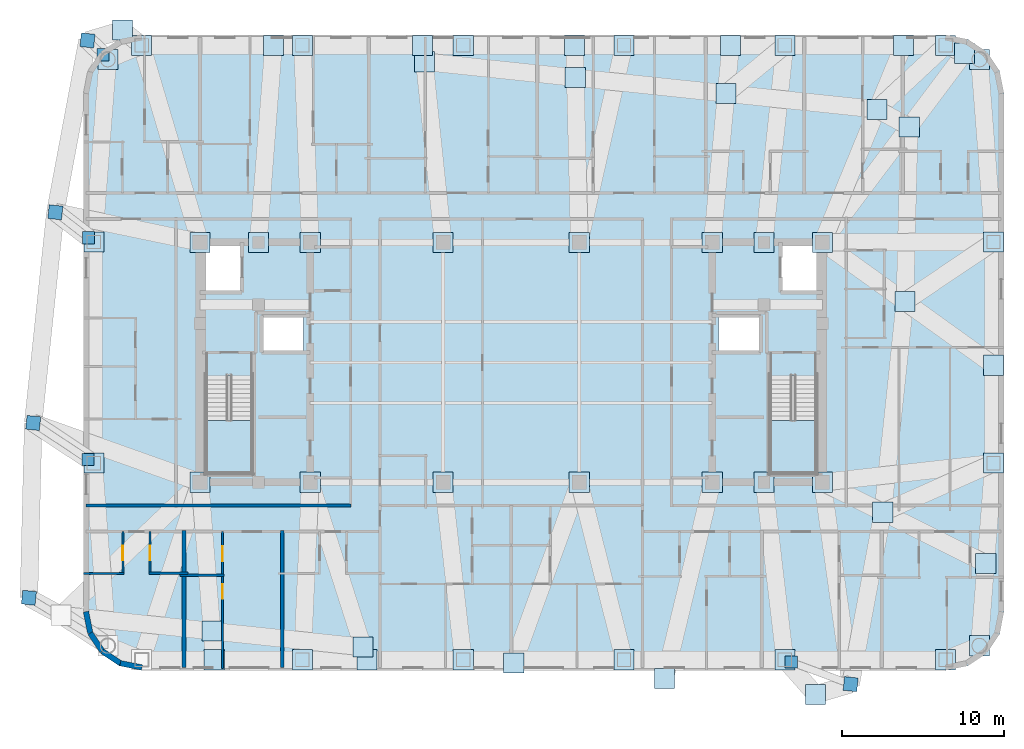
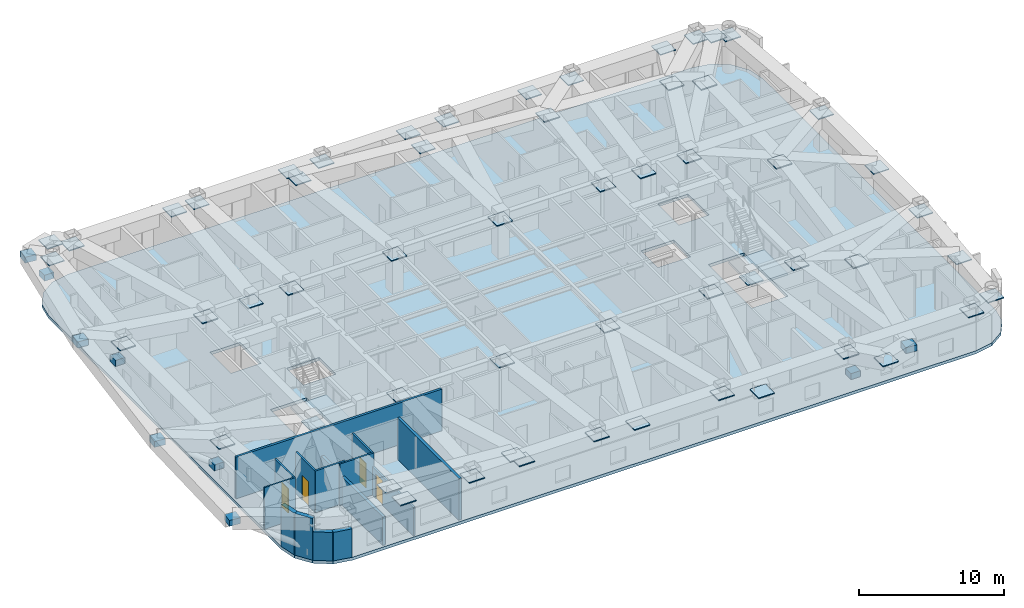
# One storey, part 3 of 12: 65 plates, 14 walls, 4 doors, 3 slabs, 4 openings, 2 elements without a shape of their own.
"""IFC4 building model written with IfcOpenShell, lengths in metres."""

from ifc_helpers import new_model, si_unit, direction, frame, frame_2d, origin, origin_2d, place, context, subcontext, project, spatial, polyline, rectangle, outline, extrude, material, layer, layer_set, type_object, element, fill, aggregate, save


model = new_model("IFC4")

# Units and contexts
model_context = context("Model", 3, precision=1e-05, world=origin(), true_north=direction((0.0, 1.0)))
body_context = subcontext(model_context, "Body", "Model", "MODEL_VIEW")
ifc_project = project(units=[si_unit("LENGTHUNIT", "METRE"), si_unit("AREAUNIT", "SQUARE_METRE"), si_unit("VOLUMEUNIT", "CUBIC_METRE"), si_unit("PLANEANGLEUNIT", "RADIAN"), si_unit("MASSUNIT", "GRAM", prefix="KILO")], contexts=[model_context])

# Site, building, storey
site_placement = place(None, origin())
site = spatial("IfcSite", under=ifc_project, at=site_placement, CompositionType="ELEMENT")
building_placement = place(site_placement, origin())
building = spatial("IfcBuilding", under=site, at=building_placement, Name="Voryun Gate Residences", CompositionType="ELEMENT")
storey_placement = place(building_placement, frame((0.0, 0.0, 250.89990234375)))
storey = spatial("IfcBuildingStorey", under=building, at=storey_placement, Name="L62", CompositionType="ELEMENT", Elevation=250.89990234375)

# Plates
ifc_material_1 = material(Name="Steel SM355", Category="steel")
ifc_layer_1 = layer(ifc_material_1, 0.02490234375, Name="PLT_END_CAP_25")
ifc_layer_set_1 = layer_set([ifc_layer_1], Name="Steel SM355")
plate_type_1 = type_object("IfcPlateType", Name="PLT_END_CAP_25", PredefinedType="USERDEFINED", material=ifc_layer_set_1)
for number, where, z_axis, x_axis, name in (
    (1, (-12.8798828125, -18.35009765625, 2.91015625), (0.0, 0.0, 1.0), (1.0, 0.0, 0.0), "L62 Hollow Member End-Cap Plate EC-680"),
    (2, (-2.9599609375, -18.35009765625, 2.91015625), (0.0, 0.0, 1.0), (1.0, 0.0, 0.0), "L62 Hollow Member End-Cap Plate EC-681"),
    (3, (6.9599609375, -18.35009765625, 2.91015625), (0.0, 0.0, 1.0), (1.0, 0.0, 0.0), "L62 Hollow Member End-Cap Plate EC-682"),
    (4, (16.8798828125, -18.35009765625, 2.91015625), (0.0, 0.0, 1.0), (1.0, 0.0, 0.0), "L62 Hollow Member End-Cap Plate EC-683"),
    (5, (26.800048828125, -18.35009765625, 2.91015625), (0.0, 0.0, 1.0), (1.0, 0.0, 0.0), "L62 Hollow Member End-Cap Plate EC-684"),
    (6, (28.885986328125, -17.486083984375, 2.91015625), (0.0, 0.0, 1.0), (1.0, 0.0, 0.0), "L62 Hollow Member End-Cap Plate EC-685"),
    (7, (29.75, -6.221923828125, 2.91015625), (0.0, 0.0, 1.0), (1.0, 0.0, 0.0), "L62 Hollow Member End-Cap Plate EC-686"),
    (8, (29.75, 7.422119140625, 2.91015625), (0.0, 0.0, 1.0), (1.0, 0.0, 0.0), "L62 Hollow Member End-Cap Plate EC-687"),
    (9, (28.885986328125, 18.68603515625, 2.91015625), (0.0, 0.0, 1.0), (1.0, 0.0, 0.0), "L62 Hollow Member End-Cap Plate EC-688"),
    (10, (26.800048828125, 19.550048828125, 2.91015625), (0.0, 0.0, 1.0), (1.0, 0.0, 0.0), "L62 Hollow Member End-Cap Plate EC-689"),
    (11, (16.8798828125, 19.550048828125, 2.91015625), (0.0, 0.0, 1.0), (1.0, 0.0, 0.0), "L62 Hollow Member End-Cap Plate EC-690"),
    (12, (6.9599609375, 19.550048828125, 2.91015625), (0.0, 0.0, 1.0), (1.0, 0.0, 0.0), "L62 Hollow Member End-Cap Plate EC-691"),
    (13, (-2.9599609375, 19.550048828125, 2.91015625), (0.0, 0.0, 1.0), (1.0, 0.0, 0.0), "L62 Hollow Member End-Cap Plate EC-692"),
    (14, (-12.8798828125, 19.550048828125, 2.91015625), (0.0, 0.0, 1.0), (1.0, 0.0, 0.0), "L62 Hollow Member End-Cap Plate EC-693"),
    (15, (-22.800048828125, 19.550048828125, 2.91015625), (0.0, 0.0, 1.0), (1.0, 0.0, 0.0), "L62 Hollow Member End-Cap Plate EC-694"),
    (16, (-24.885986328125, 18.68603515625, 2.91015625), (0.0, 0.0, 1.0), (1.0, 0.0, 0.0), "L62 Hollow Member End-Cap Plate EC-695"),
    (17, (-25.75, 7.422119140625, 2.91015625), (0.0, 0.0, 1.0), (1.0, 0.0, 0.0), "L62 Hollow Member End-Cap Plate EC-696"),
    (18, (-25.75, -6.221923828125, 2.91015625), (0.0, 0.0, 1.0), (1.0, 0.0, 0.0), "L62 Hollow Member End-Cap Plate EC-697"),
    (19, (-19.199951171875, -7.39990234375, 2.91015625), (0.0, 0.0, 1.0), (1.0, 0.0, 0.0), "L62 Hollow Member End-Cap Plate EC-699"),
    (20, (-18.31787109375, -18.35009765625, 2.91015625), (0.0, 0.0, 1.0), (1.0, 0.0, 0.0), "L62 Hollow Member End-Cap Plate EC-701"),
    (21, (-12.39990234375, -7.39990234375, 2.91015625), (0.0, 0.0, 1.0), (1.0, 0.0, 0.0), "L62 Hollow Member End-Cap Plate EC-702"),
    (22, (-8.8994140625, -18.35009765625, 2.91015625), (0.0, 0.0, 1.0), (1.0, 0.0, 0.0), "L62 Hollow Member End-Cap Plate EC-703"),
    (23, (4.199951171875, -7.39990234375, 2.91015625), (0.0, 0.0, 1.0), (1.0, 0.0, 0.0), "L62 Hollow Member End-Cap Plate EC-704"),
    (24, (0.1572265625, -18.539794921875, 2.91015625), (0.0, 0.0, 1.0), (1.0, 0.0, 0.0), "L62 Hollow Member End-Cap Plate EC-705"),
    (25, (12.39990234375, -7.39990234375, 2.91015625), (0.0, 0.0, 1.0), (1.0, 0.0, 0.0), "L62 Hollow Member End-Cap Plate EC-706"),
    (26, (9.4658203125, -19.51806640625, 2.91015625), (0.0, 0.0, 1.0), (1.0, 0.0, 0.0), "L62 Hollow Member End-Cap Plate EC-707"),
    (27, (18.774658203125, -20.49658203125, 2.91015625), (0.0, 0.0, 1.0), (1.0, 0.0, 0.0), "L62 Hollow Member End-Cap Plate EC-708"),
    (28, (19.199951171875, -7.39990234375, 2.91015625), (0.0, 0.0, 1.0), (1.0, 0.0, 0.0), "L62 Hollow Member End-Cap Plate EC-709"),
    (29, (29.275146484375, -12.413818359375, 2.91015625), (0.0, 0.0, 1.0), (1.0, 0.0, 0.0), "L62 Hollow Member End-Cap Plate EC-710"),
    (30, (22.922607421875, -9.25244140625, 2.91015625), (0.0, 0.0, 1.0), (1.0, 0.0, 0.0), "L62 Hollow Member End-Cap Plate EC-711"),
    (31, (19.199951171875, 7.39990234375, 2.91015625), (0.0, 0.0, 1.0), (1.0, 0.0, 0.0), "L62 Hollow Member End-Cap Plate EC-712"),
    (32, (29.75, -0.179931640625, 2.91015625), (0.0, 0.0, 1.0), (1.0, 0.0, 0.0), "L62 Hollow Member End-Cap Plate EC-713"),
    (33, (24.28857421875, 3.743896484375, 2.91015625), (0.0, 0.0, 1.0), (1.0, 0.0, 0.0), "L62 Hollow Member End-Cap Plate EC-714"),
    (34, (27.963623046875, 19.068115234375, 2.91015625), (0.0, 0.0, 1.0), (1.0, 0.0, 0.0), "L62 Hollow Member End-Cap Plate EC-715"),
    (35, (24.189208984375, 19.550048828125, 2.91015625), (0.0, 0.0, 1.0), (1.0, 0.0, 0.0), "L62 Hollow Member End-Cap Plate EC-716"),
    (36, (22.569091796875, 15.6044921875, 2.91015625), (0.0, 0.0, 1.0), (1.0, 0.0, 0.0), "L62 Hollow Member End-Cap Plate EC-717"),
    (37, (12.39990234375, 7.39990234375, 2.91015625), (0.0, 0.0, 1.0), (1.0, 0.0, 0.0), "L62 Hollow Member End-Cap Plate EC-718"),
    (38, (13.5380859375, 19.550048828125, 2.91015625), (0.0, 0.0, 1.0), (1.0, 0.0, 0.0), "L62 Hollow Member End-Cap Plate EC-719"),
    (39, (13.26025390625, 16.5830078125, 2.91015625), (0.0, 0.0, 1.0), (1.0, 0.0, 0.0), "L62 Hollow Member End-Cap Plate EC-720"),
    (40, (4.199951171875, 7.39990234375, 2.91015625), (0.0, 0.0, 1.0), (1.0, 0.0, 0.0), "L62 Hollow Member End-Cap Plate EC-721"),
    (41, (3.90283203125, 19.550048828125, 2.91015625), (0.0, 0.0, 1.0), (1.0, 0.0, 0.0), "L62 Hollow Member End-Cap Plate EC-722"),
    (42, (-4.199951171875, 7.39990234375, 2.91015625), (0.0, 0.0, 1.0), (1.0, 0.0, 0.0), "L62 Hollow Member End-Cap Plate EC-723"),
    (43, (-5.462158203125, 19.550048828125, 2.91015625), (0.0, 0.0, 1.0), (1.0, 0.0, 0.0), "L62 Hollow Member End-Cap Plate EC-724"),
    (44, (-15.60009765625, 7.39990234375, 2.91015625), (0.0, 0.0, 1.0), (1.0, 0.0, 0.0), "L62 Hollow Member End-Cap Plate EC-725"),
    (45, (-14.663330078125, 19.550048828125, 2.91015625), (0.0, 0.0, 1.0), (1.0, 0.0, 0.0), "L62 Hollow Member End-Cap Plate EC-726"),
    (46, (-23.974609375, 20.49658203125, 2.91015625), (0.0, 0.0, 1.0), (1.0, 0.0, 0.0), "L62 Hollow Member End-Cap Plate EC-727"),
    (47, (-19.199951171875, 7.39990234375, 2.91015625), (0.0, 0.0, 1.0), (1.0, 0.0, 0.0), "L62 Hollow Member End-Cap Plate EC-728"),
    (48, (-18.460205078125, -16.5830078125, 2.91015625), (0.0, 0.0, 1.0), (1.0, 0.0, 0.0), "L62 Hollow Member End-Cap Plate EC-729"),
    (49, (-9.151611328125, -17.561279296875, 2.91015625), (0.0, 0.0, 1.0), (1.0, 0.0, 0.0), "L62 Hollow Member End-Cap Plate EC-730"),
    (50, (24.55322265625, 14.52734375, 2.91015625), (0.0, 0.0, 1.0), (1.0, 0.0, 0.0), "L62 Hollow Member End-Cap Plate EC-731"),
    (51, (3.95166015625, 17.561279296875, 2.91015625), (0.0, 0.0, 1.0), (1.0, 0.0, 0.0), "L62 Hollow Member End-Cap Plate EC-732"),
    (52, (-5.357177734375, 18.539794921875, 2.91015625), (0.0, 0.0, 1.0), (1.0, 0.0, 0.0), "L62 Hollow Member End-Cap Plate EC-733"),
    (53, (-4.199951171875, -7.39990234375, 2.91015625), (0.0, 0.0, 1.0), (1.0, 0.0, 0.0), "L62 Hollow Member End-Cap Plate EC-734"),
    (54, (15.60009765625, -7.39990234375, 2.91015625), (0.0, 0.0, 1.0), (1.0, 0.0, 0.0), "L62 Hollow Member End-Cap Plate EC-735"),
    (55, (15.60009765625, 7.39990234375, 2.91015625), (0.0, 0.0, 1.0), (1.0, 0.0, 0.0), "L62 Hollow Member End-Cap Plate EC-736"),
    (56, (-12.39990234375, 7.39990234375, 2.91015625), (0.0, 0.0, 1.0), (1.0, 0.0, 0.0), "L62 Hollow Member End-Cap Plate EC-737"),
):
    element("IfcPlate", number, at=place(storey_placement, frame(where, z_axis=z_axis, x_axis=x_axis)), inside=storey, type_object=plate_type_1, Name=name, ObjectType="BASE_PLATE", PredefinedType="USERDEFINED", context=body_context, shape_type="SweptSolid", body=[
        extrude(rectangle(XDim=1.239990234375, YDim=1.239990234375, at=origin_2d()), origin(), (0.0, 0.0, 1.0), 0.080078125),
    ])
ifc_material_2 = material(Name="Steel SM420", Category="steel")
ifc_layer_2 = layer(ifc_material_2, 0.031982421875, Name="PLT_SPLICE_PLATE_32")
ifc_layer_set_2 = layer_set([ifc_layer_2], Name="Steel SM420")
plate_type_2 = type_object("IfcPlateType", Name="PLT_SPLICE_PLATE_32", PredefinedType="USERDEFINED", material=ifc_layer_set_2)
plate_1_placement = place(storey_placement, frame((17.273681640625, -18.49609375, 0.94091796875), z_axis=(0.0, 0.0, 1.0), x_axis=(1.0, 0.0, 0.0)))
element("IfcPlate", 57, at=plate_1_placement, inside=storey, type_object=plate_type_2, Name="L62 Cantilever Strut Base Gusset BS-CSE", ObjectType="SPLICE_PLATE", PredefinedType="USERDEFINED", context=body_context, shape_type="SweptSolid", body=[
    extrude(rectangle(XDim=0.75, YDim=0.75, at=origin_2d()), origin(), (0.0, 0.0, 1.0), 0.5),
])
plate_2_placement = place(storey_placement, frame((20.939453125, -19.855224609375, 2.7001953125), z_axis=(0.0, 0.0, 1.0), x_axis=(0.994521895368, -0.104528463268, 0.0)))
element("IfcPlate", 58, at=plate_2_placement, inside=storey, type_object=plate_type_2, Name="L62 Transfer Kink Splice Plate KN-CSE", ObjectType="SPLICE_PLATE", PredefinedType="USERDEFINED", context=body_context, shape_type="SweptSolid", body=[
    extrude(rectangle(XDim=0.85009765625, YDim=0.85009765625, at=origin_2d()), origin(), (0.0, 0.0, 1.0), 0.5),
])
plate_3_placement = place(storey_placement, frame((-25.193115234375, 18.972412109375, 1.35009765625), z_axis=(0.0, 0.0, 1.0), x_axis=(1.0, 0.0, 0.0)))
element("IfcPlate", 59, at=plate_3_placement, inside=storey, type_object=plate_type_2, Name="L62 Cantilever Strut Base Gusset BS-CNW", ObjectType="SPLICE_PLATE", PredefinedType="USERDEFINED", context=body_context, shape_type="SweptSolid", body=[
    extrude(rectangle(XDim=0.75, YDim=0.75, at=origin_2d()), origin(), (0.0, 0.0, 1.0), 0.5),
])
plate_4_placement = place(storey_placement, frame((-26.139404296875, 19.855224609375, 2.7001953125), z_axis=(0.0, 0.0, 1.0), x_axis=(0.994521895368, -0.104528463268, 0.0)))
element("IfcPlate", 60, at=plate_4_placement, inside=storey, type_object=plate_type_2, Name="L62 Transfer Kink Splice Plate KN-CNW", ObjectType="SPLICE_PLATE", PredefinedType="USERDEFINED", context=body_context, shape_type="SweptSolid", body=[
    extrude(rectangle(XDim=0.85009765625, YDim=0.85009765625, at=origin_2d()), origin(), (0.0, 0.0, 1.0), 0.5),
])
plate_5_placement = place(storey_placement, frame((-26.08251953125, 7.6787109375, 1.35009765625), z_axis=(0.0, 0.0, 1.0), x_axis=(1.0, 0.0, 0.0)))
element("IfcPlate", 61, at=plate_5_placement, inside=storey, type_object=plate_type_2, Name="L62 Cantilever Strut Base Gusset BS-W1", ObjectType="SPLICE_PLATE", PredefinedType="USERDEFINED", context=body_context, shape_type="SweptSolid", body=[
    extrude(rectangle(XDim=0.75, YDim=0.75, at=origin_2d()), origin(), (0.0, 0.0, 1.0), 0.5),
])
plate_6_placement = place(storey_placement, frame((-28.12255859375, 9.25244140625, 2.7001953125), z_axis=(0.0, 0.0, 1.0), x_axis=(0.994521895368, -0.104528463268, 0.0)))
element("IfcPlate", 62, at=plate_6_placement, inside=storey, type_object=plate_type_2, Name="L62 Transfer Kink Splice Plate KN-W1", ObjectType="SPLICE_PLATE", PredefinedType="USERDEFINED", context=body_context, shape_type="SweptSolid", body=[
    extrude(rectangle(XDim=0.85009765625, YDim=0.85009765625, at=origin_2d()), origin(), (0.0, 0.0, 1.0), 0.5),
])
plate_7_placement = place(storey_placement, frame((-26.10009765625, -5.989990234375, 0.87060546875), z_axis=(0.0, 0.0, 1.0), x_axis=(1.0, 0.0, 0.0)))
element("IfcPlate", 63, at=plate_7_placement, inside=storey, type_object=plate_type_2, Name="L62 Cantilever Strut Base Gusset BS-W2", ObjectType="SPLICE_PLATE", PredefinedType="USERDEFINED", context=body_context, shape_type="SweptSolid", body=[
    extrude(rectangle(XDim=0.75, YDim=0.75, at=origin_2d()), origin(), (0.0, 0.0, 1.0), 0.5),
])
for number, where, z_axis, x_axis, name in (
    (64, (-29.488525390625, -3.743896484375, 2.7001953125), (0.0, 0.0, 1.0), (0.994521895368, -0.104528463268, 0.0), "L62 Transfer Kink Splice Plate KN-W2"),
    (65, (-29.753173828125, -14.52734375, 2.7001953125), (0.0, 0.0, 1.0), (0.994521895368, -0.104528463268, 0.0), "L62 Transfer Kink Splice Plate KN-CSW"),
):
    element("IfcPlate", number, at=place(storey_placement, frame(where, z_axis=z_axis, x_axis=x_axis)), inside=storey, type_object=plate_type_2, Name=name, ObjectType="SPLICE_PLATE", PredefinedType="USERDEFINED", context=body_context, shape_type="SweptSolid", body=[
        extrude(rectangle(XDim=0.85009765625, YDim=0.85009765625, at=origin_2d()), origin(), (0.0, 0.0, 1.0), 0.5),
    ])

# Slab
ifc_material_3 = material(Name="Concrete C40/50", Category="concrete")
ifc_layer_3 = layer(ifc_material_3, 0.25, Name="SLB_RES_250")
ifc_layer_set_3 = layer_set([ifc_layer_3], Name="Concrete C40/50")
slab_type_1 = type_object("IfcSlabType", Name="SLB_RES_250", PredefinedType="FLOOR", material=ifc_layer_set_3)
slab_1_placement = place(storey_placement, frame((0.0, 0.0, -0.25)))
element("IfcSlab", 66, at=slab_1_placement, inside=storey, type_object=slab_type_1, Name="L62 Structural Floor Slab", PredefinedType="FLOOR", context=body_context, shape_type="SweptSolid", body=[
    extrude(outline(polyline([(-22.800048828125, -19.0), (-24.177734375, -18.72607421875), (-25.345458984375, -17.945556640625), (-26.1259765625, -16.777587890625), (-26.39990234375, -15.39990234375), (-26.39990234375, 16.60009765625), (-26.1259765625, 17.9775390625), (-25.345458984375, 19.1455078125), (-24.177734375, 19.926025390625), (-22.800048828125, 20.199951171875), (26.800048828125, 20.199951171875), (28.177734375, 19.926025390625), (29.345458984375, 19.1455078125), (30.1259765625, 17.9775390625), (30.39990234375, 16.60009765625), (30.39990234375, -15.39990234375), (30.1259765625, -16.777587890625), (29.345458984375, -17.945556640625), (28.177734375, -18.72607421875), (26.800048828125, -19.0), (-22.800048828125, -19.0)]), holes=[polyline([(-15.97509765625, -0.840087890625), (-18.824951171875, -0.840087890625), (-18.824951171875, -6.85009765625), (-15.97509765625, -6.85009765625), (-15.97509765625, -0.840087890625)]), polyline([(18.824951171875, -6.85009765625), (18.824951171875, -0.840087890625), (15.97509765625, -0.840087890625), (15.97509765625, -6.85009765625), (18.824951171875, -6.85009765625)]), polyline([(-12.800048828125, 2.89990234375), (-15.39990234375, 2.89990234375), (-15.39990234375, 0.60009765625), (-12.800048828125, 0.60009765625), (-12.800048828125, 2.89990234375)]), polyline([(12.800048828125, 2.89990234375), (12.800048828125, 0.60009765625), (15.39990234375, 0.60009765625), (15.39990234375, 2.89990234375), (12.800048828125, 2.89990234375)]), polyline([(-16.60009765625, 7.199951171875), (-19.0, 7.199951171875), (-19.0, 4.300048828125), (-16.60009765625, 4.300048828125), (-16.60009765625, 7.199951171875)]), polyline([(19.0, 7.199951171875), (16.60009765625, 7.199951171875), (16.60009765625, 4.300048828125), (19.0, 4.300048828125), (19.0, 7.199951171875)])]), origin(), (0.0, 0.0, 1.0), 0.25),
])

# Stair, slab
ifc_material_4 = material(Name="Concrete C40/50", Category="concrete")
stair_type = type_object("IfcStairType", Name="STR_CORE_DOGLEG_1350", PredefinedType="HALF_TURN_STAIR", material=ifc_material_4)
stair_1_placement = place(storey_placement, origin())
stair_1 = element("IfcStair", 67, at=stair_1_placement, inside=storey, type_object=stair_type, Name="L62 Special Escape Stair ST-W1", PredefinedType="HALF_TURN_STAIR")
ifc_material_5 = material(Name="Concrete C40/50", Category="concrete")
ifc_layer_4 = layer(ifc_material_5, 0.199951171875, Name="SLB_STAIR_LANDING_200")
ifc_layer_set_4 = layer_set([ifc_layer_4], Name="Concrete C40/50")
slab_type_2 = type_object("IfcSlabType", Name="SLB_STAIR_LANDING_200", PredefinedType="LANDING", material=ifc_layer_set_4)
slab_2_placement = place(storey_placement, frame((0.0, 0.0, 1.75)))
slab_2 = element("IfcSlab", 68, at=slab_2_placement, type_object=slab_type_2, Name="ST-W1 landing 1", PredefinedType="LANDING", context=body_context, shape_type="SweptSolid", body=[
    extrude(outline(polyline([(-18.824951171875, -3.60009765625), (-18.824951171875, -6.85009765625), (-15.97509765625, -6.85009765625), (-15.97509765625, -3.60009765625), (-18.824951171875, -3.60009765625)])), origin(), (0.0, 0.0, 1.0), 0.2001953125),
])
aggregate(stair_1, [slab_2])

stair_2_placement = place(storey_placement, origin())
stair_2 = element("IfcStair", 69, at=stair_2_placement, inside=storey, type_object=stair_type, Name="L62 Special Escape Stair ST-E1", PredefinedType="HALF_TURN_STAIR")
slab_3_placement = place(storey_placement, frame((0.0, 0.0, 1.75)))
slab_3 = element("IfcSlab", 70, at=slab_3_placement, type_object=slab_type_2, Name="ST-E1 landing 1", PredefinedType="LANDING", context=body_context, shape_type="SweptSolid", body=[
    extrude(outline(polyline([(15.97509765625, -3.60009765625), (15.97509765625, -6.85009765625), (18.824951171875, -6.85009765625), (18.824951171875, -3.60009765625), (15.97509765625, -3.60009765625)])), origin(), (0.0, 0.0, 1.0), 0.2001953125),
])
aggregate(stair_2, [slab_3])

# Walls
ifc_material_6 = material(Name="Gypsum acoustic fireboard")
ifc_layer_5 = layer(ifc_material_6, 0.179931640625, Name="W_CORR_RATED_180")
ifc_layer_set_5 = layer_set([ifc_layer_5], Name="Gypsum acoustic fireboard")
wall_type_1 = type_object("IfcWallType", Name="W_CORR_RATED_180", PredefinedType="PARTITIONING", material=ifc_layer_set_5)
wall_1_placement = place(storey_placement, frame((-26.22998046875, -8.840087890625, 0.0), z_axis=(0.0, 0.0, 1.0), x_axis=(1.0, 0.0, 0.0)))
element("IfcWall", 71, at=wall_1_placement, inside=storey, type_object=wall_type_1, Name="Partition wall WP-L62-CWING-WS", PredefinedType="PARTITIONING", context=body_context, shape_type="SweptSolid", body=[
    extrude(rectangle(XDim=16.35009765625, YDim=0.179931640625, at=frame_2d((8.175048828125, 0.0))), origin(), (0.0, 0.0, 1.0), 3.5),
])
ifc_material_7 = material(Name="Charcoal terracotta masonry", Category="masonry")
ifc_layer_6 = layer(ifc_material_7, 0.340087890625, Name="W_EXT_TERRACOTTA_340")
ifc_layer_set_6 = layer_set([ifc_layer_6], Name="Charcoal terracotta masonry")
wall_type_2 = type_object("IfcWallType", Name="W_EXT_TERRACOTTA_340", PredefinedType="ELEMENTEDWALL", material=ifc_layer_set_6)
wall_2_placement = place(storey_placement, frame((-22.783203125, -18.830078125, 0.0), z_axis=(0.0, 0.0, 1.0), x_axis=(-0.980788153188, 0.195075878998, 0.0)))
element("IfcWall", 72, at=wall_2_placement, inside=storey, type_object=wall_type_2, Name="Exterior wall WEXT-L62-02", PredefinedType="ELEMENTEDWALL", context=body_context, shape_type="SweptSolid", body=[
    extrude(rectangle(XDim=1.354248046875, YDim=0.340087890625, at=frame_2d((0.67724609375, 0.0))), origin(), (0.0, 0.0, 1.0), 2.39013671875),
])
wall_3_placement = place(storey_placement, frame((-24.111328125, -18.56591796875, 0.0), z_axis=(0.0, 0.0, 1.0), x_axis=(-0.831403586725, 0.555669034571, 0.0)))
element("IfcWall", 73, at=wall_3_placement, inside=storey, type_object=wall_type_2, Name="Exterior wall WEXT-L62-03", PredefinedType="ELEMENTEDWALL", context=body_context, shape_type="SweptSolid", body=[
    extrude(rectangle(XDim=1.3369140625, YDim=0.340087890625, at=frame_2d((0.66845703125, 0.0))), origin(), (0.0, 0.0, 1.0), 2.39013671875),
])
wall_4_placement = place(storey_placement, frame((-25.222900390625, -17.822998046875, 0.0), z_axis=(0.0, 0.0, 1.0), x_axis=(-0.555584683399, 0.831459956686, 0.0)))
element("IfcWall", 74, at=wall_4_placement, inside=storey, type_object=wall_type_2, Name="Exterior wall WEXT-L62-04", PredefinedType="ELEMENTEDWALL", context=body_context, shape_type="SweptSolid", body=[
    extrude(rectangle(XDim=1.337158203125, YDim=0.340087890625, at=frame_2d((0.66845703125, 0.0))), origin(), (0.0, 0.0, 1.0), 3.5),
])
wall_5_placement = place(storey_placement, frame((-25.9658203125, -16.711181640625, 0.0), z_axis=(0.0, 0.0, 1.0), x_axis=(-0.195110379894, 0.98078129043, 0.0)))
element("IfcWall", 75, at=wall_5_placement, inside=storey, type_object=wall_type_2, Name="Exterior wall WEXT-L62-05", PredefinedType="ELEMENTEDWALL", context=body_context, shape_type="SweptSolid", body=[
    extrude(rectangle(XDim=1.35400390625, YDim=0.340087890625, at=frame_2d((0.677001953125, 0.0))), origin(), (0.0, 0.0, 1.0), 3.5),
])
ifc_material_8 = material(Name="Concrete C40/50", Category="concrete")
ifc_layer_7 = layer(ifc_material_8, 0.219970703125, Name="W_PARTY_ACOUSTIC_220")
ifc_layer_set_7 = layer_set([ifc_layer_7], Name="Concrete C40/50")
wall_type_3 = type_object("IfcWallType", Name="W_PARTY_ACOUSTIC_220", PredefinedType="PARTITIONING", material=ifc_layer_set_7)
wall_6_placement = place(storey_placement, frame((-20.18505859375, -18.830078125, 0.0), z_axis=(0.0, 0.0, 1.0), x_axis=(0.0, 1.0, 0.0)))
element("IfcWall", 76, at=wall_6_placement, inside=storey, type_object=wall_type_3, Name="Partition wall WP-L62-SPTY-1", PredefinedType="PARTITIONING", context=body_context, shape_type="SweptSolid", body=[
    extrude(rectangle(XDim=8.4599609375, YDim=0.219970703125, at=frame_2d((4.22998046875, 0.0))), origin(), (0.0, 0.0, 1.0), 2.39013671875),
])
wall_7_placement = place(storey_placement, frame((-14.132080078125, -18.830078125, 0.0), z_axis=(0.0, 0.0, 1.0), x_axis=(0.0, 1.0, 0.0)))
element("IfcWall", 77, at=wall_7_placement, inside=storey, type_object=wall_type_3, Name="Partition wall WP-L62-SPTY-2", PredefinedType="PARTITIONING", context=body_context, shape_type="SweptSolid", body=[
    extrude(rectangle(XDim=8.4599609375, YDim=0.219970703125, at=frame_2d((4.22998046875, 0.0))), origin(), (0.0, 0.0, 1.0), 3.5),
])

# Wall, opening, door
ifc_material_9 = material(Name="Gypsum acoustic partition")
ifc_layer_8 = layer(ifc_material_9, 0.125, Name="W_UNIT_PART_125")
ifc_layer_set_8 = layer_set([ifc_layer_8], Name="Gypsum acoustic partition")
wall_type_4 = type_object("IfcWallType", Name="W_UNIT_PART_125", PredefinedType="PARTITIONING", material=ifc_layer_set_8)
wall_8_placement = place(storey_placement, frame((-23.9599609375, -13.080078125, 0.0), z_axis=(0.0, 0.0, 1.0), x_axis=(0.0, 1.0, 0.0)))
wall_8 = element("IfcWall", 78, at=wall_8_placement, inside=storey, type_object=wall_type_4, Name="Partition wall WP-L62-S1-CVK", PredefinedType="PARTITIONING", context=body_context, shape_type="SweptSolid", body=[
    extrude(rectangle(XDim=2.650146484375, YDim=0.125, at=frame_2d((1.3251953125, 0.0))), origin(), (0.0, 0.0, 1.0), 3.5),
])
opening_1_placement = place(wall_8_placement, frame((0.875, 0.0, 0.0)))
opening_1 = element("IfcOpeningElement", 79, at=opening_1_placement, cuts=wall_8, Name="Opening D-INT-2", PredefinedType="OPENING", context=body_context, shape_type="SweptSolid", body=[
    extrude(rectangle(XDim=0.89990234375, YDim=2.050048828125, at=frame_2d((0.449951171875, 1.02490234375))), frame((0.0, 0.072509765625, 0.0), z_axis=(0.0, -1.0, 0.0), x_axis=(1.0, 0.0, 0.0)), (0.0, 0.0, 1.0), 0.14501953125),
])
ifc_material_10 = material(Name="Architectural oak veneer")
door_type = type_object("IfcDoorType", Name="DR_INT_BATH_900", OperationType="NOTDEFINED", PredefinedType="DOOR", material=ifc_material_10)
door_1_placement = place(opening_1_placement, origin())
door_1 = element("IfcDoor", 80, at=door_1_placement, inside=storey, type_object=door_type, Name="Door DR-L62-S1-DK", OperationType="SINGLE_SWING_LEFT", OverallHeight=2.050048828125, OverallWidth=0.89990234375, PredefinedType="DOOR", context=body_context, shape_type="SweptSolid", body=[
    extrude(rectangle(XDim=0.89990234375, YDim=2.050048828125, at=frame_2d((0.449951171875, 1.02490234375))), frame((0.0, 0.02490234375, 0.0), z_axis=(0.0, -1.0, 0.0), x_axis=(1.0, 0.0, 0.0)), (0.0, 0.0, 1.0), 0.050048828125),
])
fill(opening_1, door_1)

# Wall
wall_9_placement = place(storey_placement, frame((-26.3798828125, -13.02001953125, 0.0), z_axis=(0.0, 0.0, 1.0), x_axis=(1.0, 0.0, 0.0)))
element("IfcWall", 81, at=wall_9_placement, inside=storey, type_object=wall_type_4, Name="Partition wall WP-L62-S1-CHK", PredefinedType="PARTITIONING", context=body_context, shape_type="SweptSolid", body=[
    extrude(rectangle(XDim=2.47998046875, YDim=0.125, at=frame_2d((1.239990234375, 0.0))), origin(), (0.0, 0.0, 1.0), 3.5),
])

# Wall, opening, door
ifc_material_11 = material(Name="Gypsum moisture-resistant partition")
ifc_layer_9 = layer(ifc_material_11, 0.14990234375, Name="W_WET_PLUMB_150")
ifc_layer_set_9 = layer_set([ifc_layer_9], Name="Gypsum moisture-resistant partition")
wall_type_5 = type_object("IfcWallType", Name="W_WET_PLUMB_150", PredefinedType="PLUMBINGWALL", material=ifc_layer_set_9)
wall_10_placement = place(storey_placement, frame((-22.281982421875, -13.080078125, 0.0), z_axis=(0.0, 0.0, 1.0), x_axis=(0.0, 1.0, 0.0)))
wall_10 = element("IfcWall", 82, at=wall_10_placement, inside=storey, type_object=wall_type_5, Name="Partition wall WP-L62-S1-CVB", PredefinedType="PLUMBINGWALL", context=body_context, shape_type="SweptSolid", body=[
    extrude(rectangle(XDim=2.650146484375, YDim=0.14990234375, at=frame_2d((1.3251953125, 0.0))), origin(), (0.0, 0.0, 1.0), 3.5),
])
opening_2_placement = place(wall_10_placement, frame((0.875, 0.0, 0.0)))
opening_2 = element("IfcOpeningElement", 83, at=opening_2_placement, cuts=wall_10, Name="Opening D-INT-2", PredefinedType="OPENING", context=body_context, shape_type="SweptSolid", body=[
    extrude(rectangle(XDim=0.89990234375, YDim=2.050048828125, at=frame_2d((0.449951171875, 1.02490234375))), frame((0.0, 0.0849609375, 0.0), z_axis=(0.0, -1.0, 0.0), x_axis=(1.0, 0.0, 0.0)), (0.0, 0.0, 1.0), 0.169921875),
])
door_2_placement = place(opening_2_placement, origin())
door_2 = element("IfcDoor", 84, at=door_2_placement, inside=storey, type_object=door_type, Name="Door DR-L62-S1-DB", OperationType="SINGLE_SWING_RIGHT", OverallHeight=2.050048828125, OverallWidth=0.89990234375, PredefinedType="DOOR", context=body_context, shape_type="SweptSolid", body=[
    extrude(rectangle(XDim=0.89990234375, YDim=2.050048828125, at=frame_2d((0.449951171875, 1.02490234375))), frame((0.0, 0.02490234375, 0.0), z_axis=(0.0, -1.0, 0.0), x_axis=(1.0, 0.0, 0.0)), (0.0, 0.0, 1.0), 0.050048828125),
])
fill(opening_2, door_2)

# Walls
wall_11_placement = place(storey_placement, frame((-22.342041015625, -13.02001953125, 0.0), z_axis=(0.0, 0.0, 1.0), x_axis=(1.0, 0.0, 0.0)))
element("IfcWall", 85, at=wall_11_placement, inside=storey, type_object=wall_type_5, Name="Partition wall WP-L62-S1-CHB", PredefinedType="PLUMBINGWALL", context=body_context, shape_type="SweptSolid", body=[
    extrude(rectangle(XDim=2.4169921875, YDim=0.14990234375, at=frame_2d((1.20849609375, 0.0))), origin(), (0.0, 0.0, 1.0), 3.5),
])
wall_12_placement = place(storey_placement, frame((-20.445068359375, -13.14990234375, 0.0), z_axis=(0.0, 0.0, 1.0), x_axis=(1.0, 0.0, 0.0)))
element("IfcWall", 86, at=wall_12_placement, inside=storey, type_object=wall_type_5, Name="Partition wall WP-L62-S2-SKB", PredefinedType="PLUMBINGWALL", context=body_context, shape_type="SweptSolid", body=[
    extrude(rectangle(XDim=2.714111328125, YDim=0.14990234375, at=frame_2d((1.35693359375, 0.0))), origin(), (0.0, 0.0, 1.0), 3.5),
])

# Wall, opening, door
wall_13_placement = place(storey_placement, frame((-17.81103515625, -18.876708984375, 0.0), z_axis=(0.0, 0.0, 1.0), x_axis=(0.0, 1.0, 0.0)))
wall_13 = element("IfcWall", 87, at=wall_13_placement, inside=storey, type_object=wall_type_5, Name="Partition wall WP-L62-S2-SVT1", PredefinedType="PLUMBINGWALL", context=body_context, shape_type="SweptSolid", body=[
    extrude(rectangle(XDim=5.7666015625, YDim=0.14990234375, at=frame_2d((2.88330078125, 0.0))), origin(), (0.0, 0.0, 1.0), 2.39013671875),
])
opening_3_placement = place(wall_13_placement, frame((4.27880859375, 0.0, 0.0)))
opening_3 = element("IfcOpeningElement", 88, at=opening_3_placement, cuts=wall_13, Name="Opening D-INT-2", PredefinedType="OPENING", context=body_context, shape_type="SweptSolid", body=[
    extrude(rectangle(XDim=0.89990234375, YDim=2.050048828125, at=frame_2d((0.449951171875, 1.02490234375))), frame((0.0, 0.0849609375, 0.0), z_axis=(0.0, -1.0, 0.0), x_axis=(1.0, 0.0, 0.0)), (0.0, 0.0, 1.0), 0.169921875),
])
door_3_placement = place(opening_3_placement, origin())
door_3 = element("IfcDoor", 89, at=door_3_placement, inside=storey, type_object=door_type, Name="Door DR-L62-S2-DK", OperationType="SINGLE_SWING_LEFT", OverallHeight=2.050048828125, OverallWidth=0.89990234375, PredefinedType="DOOR", context=body_context, shape_type="SweptSolid", body=[
    extrude(rectangle(XDim=0.89990234375, YDim=2.050048828125, at=frame_2d((0.449951171875, 1.02490234375))), frame((0.0, 0.02490234375, 0.0), z_axis=(0.0, -1.0, 0.0), x_axis=(1.0, 0.0, 0.0)), (0.0, 0.0, 1.0), 0.050048828125),
])
fill(opening_3, door_3)

wall_14_placement = place(storey_placement, frame((-17.81103515625, -13.18994140625, 0.0), z_axis=(0.0, 0.0, 1.0), x_axis=(0.0, 1.0, 0.0)))
wall_14 = element("IfcWall", 90, at=wall_14_placement, inside=storey, type_object=wall_type_5, Name="Partition wall WP-L62-S2-SVT2", PredefinedType="PLUMBINGWALL", context=body_context, shape_type="SweptSolid", body=[
    extrude(rectangle(XDim=2.760009765625, YDim=0.14990234375, at=frame_2d((1.3798828125, 0.0))), origin(), (0.0, 0.0, 1.0), 3.5),
])
opening_4_placement = place(wall_14_placement, frame((0.929931640625, 0.0, 0.0)))
opening_4 = element("IfcOpeningElement", 91, at=opening_4_placement, cuts=wall_14, Name="Opening D-INT-2", PredefinedType="OPENING", context=body_context, shape_type="SweptSolid", body=[
    extrude(rectangle(XDim=0.89990234375, YDim=2.050048828125, at=frame_2d((0.449951171875, 1.02490234375))), frame((0.0, 0.0849609375, 0.0), z_axis=(0.0, -1.0, 0.0), x_axis=(1.0, 0.0, 0.0)), (0.0, 0.0, 1.0), 0.169921875),
])
door_4_placement = place(opening_4_placement, origin())
door_4 = element("IfcDoor", 92, at=door_4_placement, inside=storey, type_object=door_type, Name="Door DR-L62-S2-DB", OperationType="SINGLE_SWING_RIGHT", OverallHeight=2.050048828125, OverallWidth=0.89990234375, PredefinedType="DOOR", context=body_context, shape_type="SweptSolid", body=[
    extrude(rectangle(XDim=0.89990234375, YDim=2.050048828125, at=frame_2d((0.449951171875, 1.02490234375))), frame((0.0, 0.02490234375, 0.0), z_axis=(0.0, -1.0, 0.0), x_axis=(1.0, 0.0, 0.0)), (0.0, 0.0, 1.0), 0.050048828125),
])
fill(opening_4, door_4)

save(model, "model.ifc")
